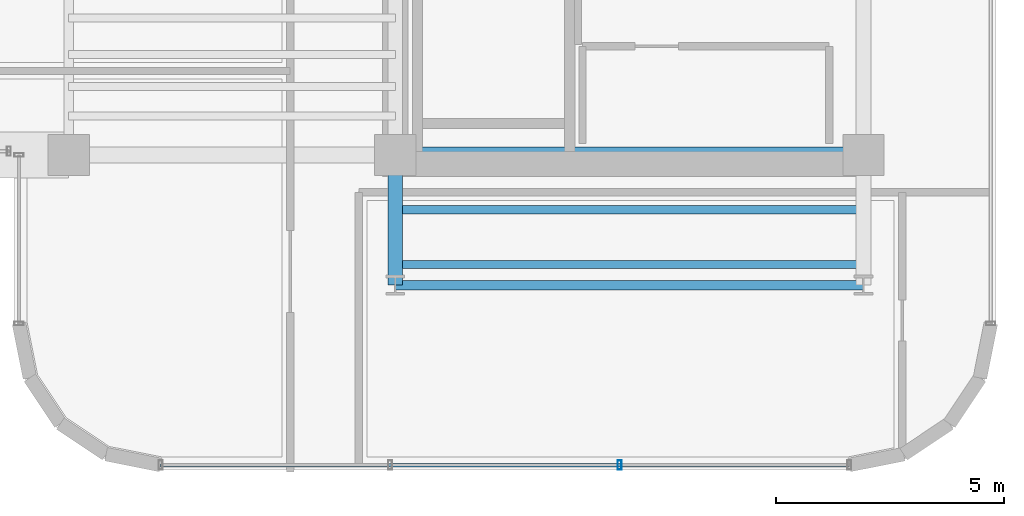
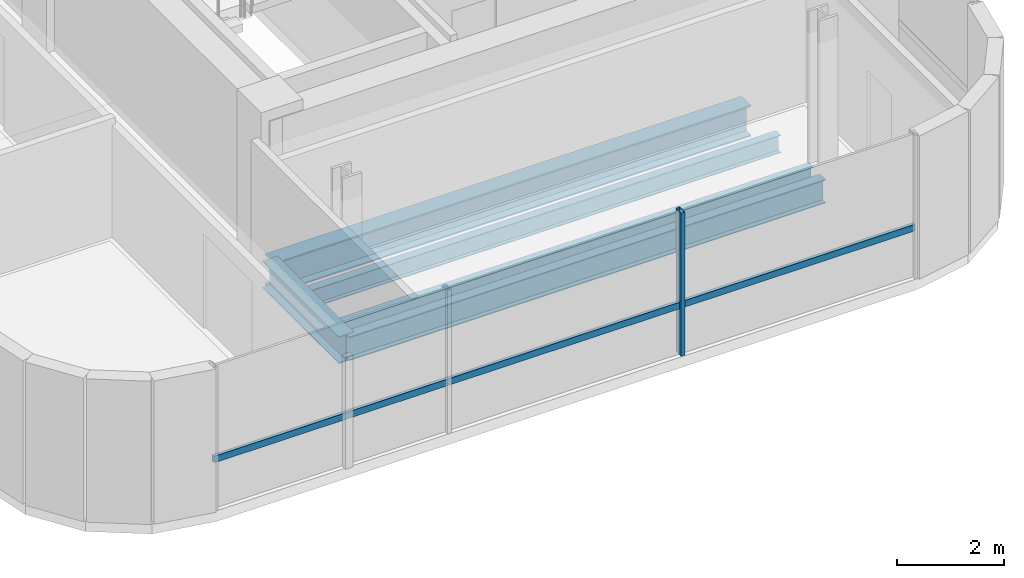
# One storey, part 3 of 22: 5 beams, 2 members, 1 element without a shape of its own.
"""IFC4 building model written with IfcOpenShell, lengths in metres."""

from ifc_helpers import new_model, si_unit, direction, frame, origin, origin_2d, place, context, subcontext, project, spatial, hollow_rectangle, i_section, extrude, source, transform, mapped, material, material_profile, profile_set, type_object, element, aggregate, save


model = new_model("IFC4")

# Units and contexts
model_context = context("Model", 3, precision=1e-05, world=origin(), true_north=direction((0.0, 1.0)))
body_context = subcontext(model_context, "Body", "Model", "MODEL_VIEW")
ifc_project = project(units=[si_unit("LENGTHUNIT", "METRE"), si_unit("AREAUNIT", "SQUARE_METRE"), si_unit("VOLUMEUNIT", "CUBIC_METRE"), si_unit("PLANEANGLEUNIT", "RADIAN"), si_unit("MASSUNIT", "GRAM", prefix="KILO")], contexts=[model_context])

# Site, building, storey
site_placement = place(None, origin())
site = spatial("IfcSite", under=ifc_project, at=site_placement, CompositionType="ELEMENT")
building_placement = place(site_placement, origin())
building = spatial("IfcBuilding", under=site, at=building_placement, Name="Valdorenza Pilgrim Sanctuary Tower", CompositionType="ELEMENT")
storey_placement = place(building_placement, frame((0.0, 0.0, 233.5)))
storey = spatial("IfcBuildingStorey", under=building, at=storey_placement, Name="L60", CompositionType="ELEMENT", Elevation=233.5)

# Beams
ifc_material_1 = material(Name="Steel ASTM A992 Grade 50", Category="steel")
ifc_material_profile_1 = material_profile(ifc_material_1, i_section(OverallWidth=0.323974609375, OverallDepth=0.611083984375, WebThickness=0.0126953125, FlangeThickness=0.01904296875, at=origin_2d()), Name="W24X104")
ifc_profile_set_1 = profile_set([ifc_material_profile_1], Name="Steel ASTM A992 Grade 50")
beam_type_1 = type_object("IfcBeamType", Name="STR-BM-GRD-W24B", PredefinedType="BEAM", material=ifc_profile_set_1)
shared_shape_1 = source(origin(), body_context, "Body", "SweptSolid", [
    extrude(i_section(OverallWidth=0.323974609375, OverallDepth=0.611083984375, WebThickness=0.0126953125, FlangeThickness=0.01904296875, at=origin_2d()), origin(), (0.0, 0.0, 1.0), 2.849853515625),
])
beam_1_placement = place(storey_placement, frame((-22.64990234375, -13.449951171875, -0.54541015625), z_axis=(0.0, 1.0, 0.0), x_axis=(-1.0, 0.0, 0.0)))
element("IfcBeam", 1, at=beam_1_placement, inside=storey, type_object=beam_type_1, Name="L60 Floor Girder WA-S-LW", PredefinedType="BEAM", context=body_context, shape_type="MappedRepresentation", body=[
    mapped(shared_shape_1, transform((0.0, 0.0, 0.0), x_axis=(1.0, 0.0, 0.0), y_axis=(0.0, 1.0, 0.0), z_axis=(0.0, 0.0, 1.0), scale=1.0)),
])
ifc_material_profile_2 = material_profile(ifc_material_1, i_section(OverallWidth=0.2109375, OverallDepth=0.5390625, WebThickness=0.01171875, FlangeThickness=0.018798828125, at=origin_2d()), Name="W21X73")
ifc_profile_set_2 = profile_set([ifc_material_profile_2], Name="Steel ASTM A992 Grade 50")
beam_type_2 = type_object("IfcBeamType", Name="STR-BM-SPN-W21B", PredefinedType="SPANDREL", material=ifc_profile_set_2)
shared_shape_2 = source(origin(), body_context, "Body", "SweptSolid", [
    extrude(i_section(OverallWidth=0.2109375, OverallDepth=0.5390625, WebThickness=0.01171875, FlangeThickness=0.018798828125, at=origin_2d()), origin(), (0.0, 0.0, 1.0), 10.25),
])
beam_2_placement = place(storey_placement, frame((-22.64990234375, -13.449951171875, -0.509521484375), z_axis=(1.0, 0.0, 0.0), x_axis=(0.0, 1.0, 0.0)))
element("IfcBeam", 2, at=beam_2_placement, inside=storey, type_object=beam_type_2, Name="L60 South Spandrel WA-S-TIE", PredefinedType="SPANDREL", context=body_context, shape_type="MappedRepresentation", body=[
    mapped(shared_shape_2, transform((0.0, 0.0, 0.0), x_axis=(1.0, 0.0, 0.0), y_axis=(0.0, 1.0, 0.0), z_axis=(0.0, 0.0, 1.0), scale=1.0)),
])
ifc_material_profile_3 = material_profile(ifc_material_1, i_section(OverallWidth=0.35595703125, OverallDepth=0.700927734375, WebThickness=0.016845703125, FlangeThickness=0.02734375, at=origin_2d()), Name="W27X161")
ifc_profile_set_3 = profile_set([ifc_material_profile_3], Name="Steel ASTM A992 Grade 50")
beam_type_3 = type_object("IfcBeamType", Name="STR-BM-GRD-W27", PredefinedType="BEAM", material=ifc_profile_set_3)
shared_shape_3 = source(origin(), body_context, "Body", "SweptSolid", [
    extrude(i_section(OverallWidth=0.35595703125, OverallDepth=0.700927734375, WebThickness=0.016845703125, FlangeThickness=0.02734375, at=origin_2d()), origin(), (0.0, 0.0, 1.0), 10.25),
])
beam_3_placement = place(storey_placement, frame((-22.64990234375, -10.60009765625, -0.590576171875), z_axis=(1.0, 0.0, 0.0), x_axis=(0.0, 1.0, 0.0)))
element("IfcBeam", 3, at=beam_3_placement, inside=storey, type_object=beam_type_3, Name="L60 Floor Girder CA-XC-S1", PredefinedType="BEAM", context=body_context, shape_type="MappedRepresentation", body=[
    mapped(shared_shape_3, transform((0.0, 0.0, 0.0), x_axis=(1.0, 0.0, 0.0), y_axis=(0.0, 1.0, 0.0), z_axis=(0.0, 0.0, 1.0), scale=1.0)),
])
ifc_material_profile_4 = material_profile(ifc_material_1, i_section(OverallWidth=0.177978515625, OverallDepth=0.406005859375, WebThickness=0.0078125, FlangeThickness=0.0126953125, at=origin_2d()), Name="W16X40")
ifc_profile_set_4 = profile_set([ifc_material_profile_4], Name="Steel ASTM A992 Grade 50")
beam_type_4 = type_object("IfcBeamType", Name="STR-BM-JST-W16", PredefinedType="JOIST", material=ifc_profile_set_4)
shared_shape_4 = source(origin(), body_context, "Body", "SweptSolid", [
    extrude(i_section(OverallWidth=0.177978515625, OverallDepth=0.406005859375, WebThickness=0.0078125, FlangeThickness=0.0126953125, at=origin_2d()), origin(), (0.0, 0.0, 1.0), 10.25),
])
for number, where, z_axis, x_axis, name in (
    (4, (-22.64990234375, -13.0, -0.443115234375), (1.0, 0.0, 0.0), (0.0, 1.0, 0.0), "L60 Composite Floor Joist JST-WAS-1"),
    (5, (-22.64990234375, -11.800048828125, -0.443115234375), (1.0, 0.0, 0.0), (0.0, 1.0, 0.0), "L60 Composite Floor Joist JST-WAS-2"),
):
    element("IfcBeam", number, at=place(storey_placement, frame(where, z_axis=z_axis, x_axis=x_axis)), inside=storey, type_object=beam_type_4, Name=name, PredefinedType="JOIST", context=body_context, shape_type="MappedRepresentation", body=[
        mapped(shared_shape_4, transform((0.0, 0.0, 0.0), x_axis=(1.0, 0.0, 0.0), y_axis=(0.0, 1.0, 0.0), z_axis=(0.0, 0.0, 1.0), scale=1.0)),
    ])

# Curtain wall, members
ifc_material_2 = material(Name="Curtain-wall IGU glazing", Category="glass")
curtain_wall_type = type_object("IfcCurtainWallType", Name="CW-SYS-02", PredefinedType="NOTDEFINED", material=ifc_material_2)
curtain_wall_placement = place(storey_placement, origin())
curtain_wall = element("IfcCurtainWall", 6, at=curtain_wall_placement, inside=storey, type_object=curtain_wall_type, Name="L60 Curtain Wall CW-L60-1-26", PredefinedType="NOTDEFINED")
ifc_material_3 = material(Name="Anodised aluminium AW-6060", Category="aluminium")
ifc_material_profile_5 = material_profile(ifc_material_3, hollow_rectangle(XDim=0.074951171875, YDim=0.14990234375, WallThickness=0.00390625, at=origin_2d()), Name="ALU-T 150x75x4")
ifc_profile_set_5 = profile_set([ifc_material_profile_5], Name="Anodised aluminium AW-6060")
member_type_1 = type_object("IfcMemberType", Name="CW-TRN-02", PredefinedType="USERDEFINED", material=ifc_profile_set_5)
shared_shape_5 = source(origin(), body_context, "Body", "SweptSolid", [
    extrude(hollow_rectangle(XDim=0.074951171875, YDim=0.14990234375, WallThickness=0.00390625, at=origin_2d()), origin(), (0.0, 0.0, 1.0), 15.07861328125),
])
member_1_placement = place(storey_placement, frame((-12.710693359375, -17.389892578125, 1.1201171875), z_axis=(-1.0, 0.0, 0.0), x_axis=(0.0, -1.0, 0.0)))
member_1 = element("IfcMember", 7, at=member_1_placement, type_object=member_type_1, Name="CW-L60-1-26 Transom 1", ObjectType="TRANSOM", PredefinedType="USERDEFINED", context=body_context, shape_type="MappedRepresentation", body=[
    mapped(shared_shape_5, transform((0.0, 0.0, 0.0), x_axis=(1.0, 0.0, 0.0), y_axis=(0.0, 1.0, 0.0), z_axis=(0.0, 0.0, 1.0), scale=1.0)),
])
ifc_material_profile_6 = material_profile(ifc_material_3, hollow_rectangle(XDim=0.0849609375, YDim=0.199951171875, WallThickness=0.0048828125, at=origin_2d()), Name="ALU-M 200x85x5")
ifc_profile_set_6 = profile_set([ifc_material_profile_6], Name="Anodised aluminium AW-6060")
member_type_2 = type_object("IfcMemberType", Name="CW-MUL-02", PredefinedType="MULLION", material=ifc_profile_set_6)
shared_shape_6 = source(origin(), body_context, "Body", "SweptSolid", [
    extrude(hollow_rectangle(XDim=0.0849609375, YDim=0.199951171875, WallThickness=0.0048828125, at=origin_2d()), origin(), (0.0, 0.0, 1.0), 3.260009765625),
])
member_2_placement = place(storey_placement, frame((-17.73681640625, -17.389892578125, 0.0), z_axis=(0.0, 0.0, 1.0), x_axis=(-1.0, 0.0, 0.0)))
member_2 = element("IfcMember", 8, at=member_2_placement, type_object=member_type_2, Name="CW-L60-1-26 Mullion 2", PredefinedType="MULLION", context=body_context, shape_type="MappedRepresentation", body=[
    mapped(shared_shape_6, transform((0.0, 0.0, 0.0), x_axis=(1.0, 0.0, 0.0), y_axis=(0.0, 1.0, 0.0), z_axis=(0.0, 0.0, 1.0), scale=1.0)),
])
aggregate(curtain_wall, [member_2, member_1])

save(model, "model.ifc")
